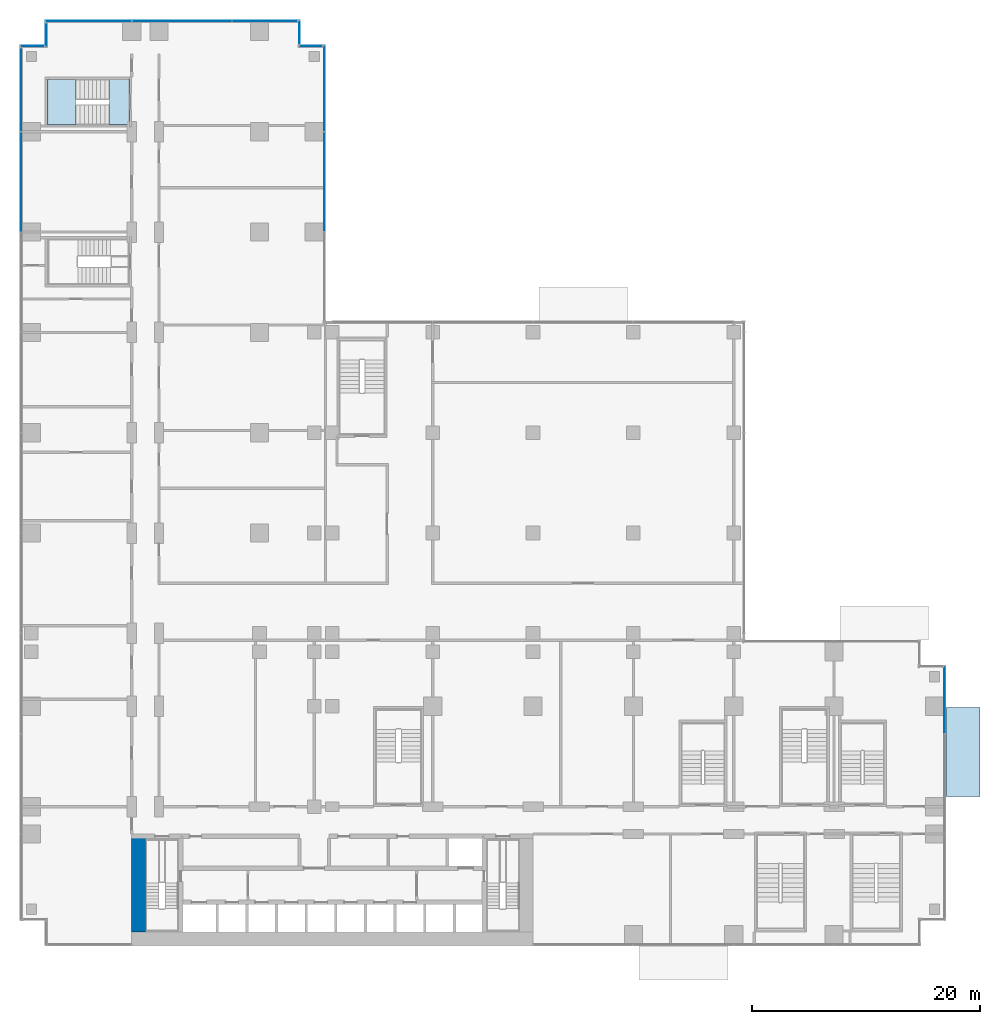
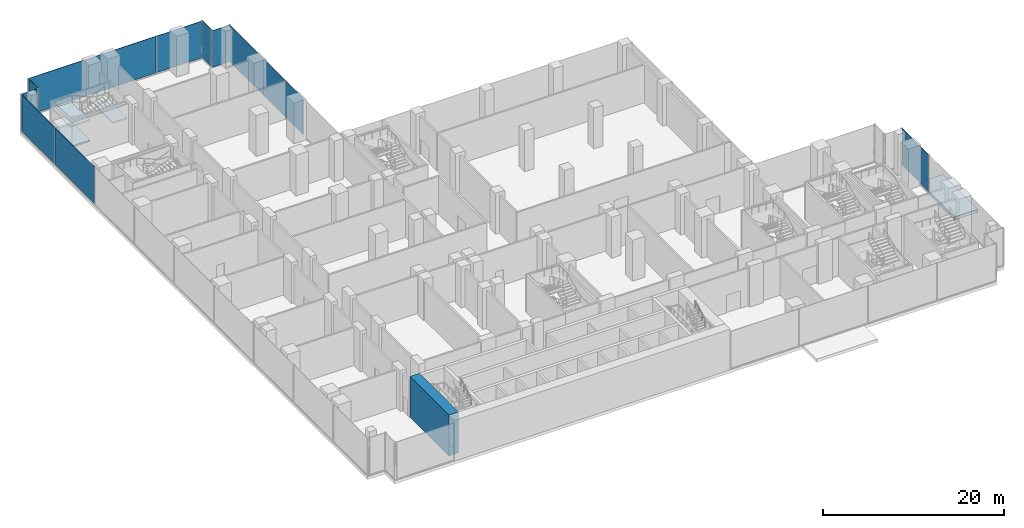
# One storey, part 17 of 30: 12 plates, 4 slabs, 1 wall, 9 elements without a shape of their own.
"""IFC4 building model written with IfcOpenShell, lengths in metres."""

from ifc_helpers import new_model, si_unit, direction, frame, frame_2d, origin, origin_2d, place, context, subcontext, project, spatial, polyline, rectangle, outline, extrude, source, transform, mapped, material, layer, layer_set, type_object, element, aggregate, save


model = new_model("IFC4")

# Units and contexts
model_context = context("Model", 3, precision=1e-05, world=origin(), true_north=direction((0.0, 1.0)))
body_context = subcontext(model_context, "Body", "Model", "MODEL_VIEW")
ifc_project = project(units=[si_unit("LENGTHUNIT", "METRE"), si_unit("AREAUNIT", "SQUARE_METRE"), si_unit("VOLUMEUNIT", "CUBIC_METRE"), si_unit("PLANEANGLEUNIT", "RADIAN"), si_unit("MASSUNIT", "GRAM", prefix="KILO")], contexts=[model_context])

# Site, building, storey
site_placement = place(None, origin())
site = spatial("IfcSite", under=ifc_project, at=site_placement, CompositionType="ELEMENT")
building_placement = place(site_placement, origin())
building = spatial("IfcBuilding", under=site, at=building_placement, Name="Kemantara Hotel Tower", CompositionType="ELEMENT")
storey_placement = place(building_placement, frame((0.0, 0.0, 7.5)))
storey = spatial("IfcBuildingStorey", under=building, at=storey_placement, Name="L01", CompositionType="ELEMENT", Elevation=7.5)

# Slab
ifc_material_1 = material(Name="Concrete K-500 (fc 42 MPa)", Category="concrete")
ifc_layer_1 = layer(ifc_material_1, 0.39990234375)
ifc_layer_set_1 = layer_set([ifc_layer_1], Name="Concrete K-500 (fc 42 MPa)")
slab_type_1 = type_object("IfcSlabType", Name="ENTRANCE CANOPY SLAB 400", PredefinedType="ROOF", material=ifc_layer_set_1)
slab_1_placement = place(storey_placement, frame((0.0, 0.0, -0.39990234375)))
element("IfcSlab", 1, at=slab_1_placement, inside=storey, type_object=slab_type_1, Name="ENTRANCE CANOPY STATION-E", PredefinedType="ROOF", context=body_context, shape_type="SweptSolid", body=[
    extrude(outline(polyline([(81.199951171875, 13.10009765625), (81.199951171875, 20.89990234375), (84.199951171875, 20.89990234375), (84.199951171875, 13.10009765625), (81.199951171875, 13.10009765625)])), origin(), (0.0, 0.0, 1.0), 0.39990234375),
])

# Stair, slabs
ifc_material_2 = material(Name="Concrete fc 40 MPa", Category="concrete")
stair_type = type_object("IfcStairType", Name="Stair 1800 wide 36 risers of 153 x 360 mm", PredefinedType="HALF_TURN_STAIR", material=ifc_material_2)
stair_placement = place(storey_placement, origin())
stair = element("IfcStair", 2, at=stair_placement, inside=storey, type_object=stair_type, Name="L01 Exit stair ST6", PredefinedType="HALF_TURN_STAIR")
ifc_layer_2 = layer(ifc_material_2, 0.199951171875)
ifc_layer_set_2 = layer_set([ifc_layer_2], Name="Concrete fc 40 MPa")
slab_type_2 = type_object("IfcSlabType", Name="Stair landing 200 mm", PredefinedType="LANDING", material=ifc_layer_set_2)
slab_2_placement = place(storey_placement, frame((0.0, 0.0, 1.175048828125)))
slab_2 = element("IfcSlab", 3, at=slab_2_placement, type_object=slab_type_2, Name="ST6 landing 1", PredefinedType="LANDING", context=body_context, shape_type="SweptSolid", body=[
    extrude(outline(polyline([(4.919921875, 76.0), (2.39990234375, 76.0), (2.39990234375, 72.0), (4.919921875, 72.0), (4.919921875, 76.0)])), origin(), (0.0, 0.0, 1.0), 0.199951171875),
])
slab_3_placement = place(storey_placement, frame((0.0, 0.0, 2.550048828125)))
slab_3 = element("IfcSlab", 4, at=slab_3_placement, type_object=slab_type_2, Name="ST6 landing 2", PredefinedType="LANDING", context=body_context, shape_type="SweptSolid", body=[
    extrude(outline(polyline([(9.60009765625, 76.0), (7.800048828125, 76.0), (7.800048828125, 72.0), (9.60009765625, 72.0), (9.60009765625, 76.0)])), origin(), (0.0, 0.0, 1.0), 0.199951171875),
])
slab_4_placement = place(storey_placement, frame((0.0, 0.0, 3.925048828125)))
slab_4 = element("IfcSlab", 5, at=slab_4_placement, type_object=slab_type_2, Name="ST6 landing 3", PredefinedType="LANDING", context=body_context, shape_type="SweptSolid", body=[
    extrude(outline(polyline([(4.919921875, 76.0), (2.39990234375, 76.0), (2.39990234375, 72.0), (4.919921875, 72.0), (4.919921875, 76.0)])), origin(), (0.0, 0.0, 1.0), 0.199951171875),
])
aggregate(stair, [slab_2, slab_3, slab_4])

# Curtain wall, plate
ifc_material_3 = material(Name="Laminated tinted insulated glass 44 mm", Category="glass")
curtain_wall_type = type_object("IfcCurtainWallType", Name="PODIUM GLASS CURTAIN WALL", PredefinedType="USERDEFINED", material=ifc_material_3)
curtain_wall_1_placement = place(storey_placement, origin())
curtain_wall_1 = element("IfcCurtainWall", 6, at=curtain_wall_1_placement, inside=storey, type_object=curtain_wall_type, Name="CW1 L01 POD-R10-1", ObjectType="PODIUM GLASS CURTAIN WALL", PredefinedType="USERDEFINED")
ifc_layer_3 = layer(ifc_material_3, 0.0439453125)
ifc_layer_set_3 = layer_set([ifc_layer_3], Name="Laminated tinted insulated glass 44 mm")
plate_type = type_object("IfcPlateType", Name="PODIUM GLASS CURTAIN WALL PANEL", PredefinedType="CURTAIN_PANEL", material=ifc_layer_set_3)
shared_shape_1 = source(origin(), body_context, "Body", "SweptSolid", [
    extrude(rectangle(XDim=8.72509765625, YDim=0.0439453125, at=origin_2d()), origin(), (0.0, 0.0, 1.0), 4.949951171875),
])
plate_1_placement = place(storey_placement, frame((26.699951171875, 67.0, 0.14990234375), z_axis=(0.0, 0.0, 1.0), x_axis=(0.0, 1.0, 0.0)))
plate_1 = element("IfcPlate", 7, at=plate_1_placement, type_object=plate_type, Name="CW1 glass panel POD-R10-1.2", PredefinedType="CURTAIN_PANEL", context=body_context, shape_type="MappedRepresentation", body=[
    mapped(shared_shape_1, transform((0.0, 0.0, 0.0))),
])

curtain_wall_2_placement = place(storey_placement, origin())
curtain_wall_2 = element("IfcCurtainWall", 8, at=curtain_wall_2_placement, inside=storey, type_object=curtain_wall_type, Name="CW1 L01 POD-R13-1", ObjectType="PODIUM GLASS CURTAIN WALL", PredefinedType="USERDEFINED")
plate_2_placement = place(storey_placement, frame((14.199951171875, 81.10009765625, 0.14990234375), z_axis=(0.0, 0.0, 1.0), x_axis=(-1.0, 0.0, 0.0)))
plate_2 = element("IfcPlate", 9, at=plate_2_placement, type_object=plate_type, Name="CW1 glass panel POD-R13-1.2", PredefinedType="CURTAIN_PANEL", context=body_context, shape_type="MappedRepresentation", body=[
    mapped(shared_shape_1, transform((0.0, 0.0, 0.0))),
])

curtain_wall_3_placement = place(storey_placement, origin())
curtain_wall_3 = element("IfcCurtainWall", 10, at=curtain_wall_3_placement, inside=storey, type_object=curtain_wall_type, Name="CW1 L01 POD-R16-1", ObjectType="PODIUM GLASS CURTAIN WALL", PredefinedType="USERDEFINED")
plate_3_placement = place(storey_placement, frame((0.10009765625, 67.0, 0.14990234375), z_axis=(0.0, 0.0, 1.0), x_axis=(0.0, -1.0, 0.0)))
plate_3 = element("IfcPlate", 11, at=plate_3_placement, type_object=plate_type, Name="CW1 glass panel POD-R16-1.2", PredefinedType="CURTAIN_PANEL", context=body_context, shape_type="MappedRepresentation", body=[
    mapped(shared_shape_1, transform((0.0, 0.0, 0.0))),
])

# Plate
shared_shape_2 = source(origin(), body_context, "Body", "SweptSolid", [
    extrude(rectangle(XDim=7.487548828125, YDim=0.0439453125, at=origin_2d()), origin(), (0.0, 0.0, 1.0), 4.949951171875),
])
plate_4_placement = place(storey_placement, frame((26.699951171875, 75.18115234375, 0.14990234375), z_axis=(0.0, 0.0, 1.0), x_axis=(0.0, 1.0, 0.0)))
plate_4 = element("IfcPlate", 12, at=plate_4_placement, type_object=plate_type, Name="CW1 glass panel POD-R10-1.3", PredefinedType="CURTAIN_PANEL", context=body_context, shape_type="MappedRepresentation", body=[
    mapped(shared_shape_2, transform((0.0, 0.0, 0.0))),
])

aggregate(curtain_wall_1, [plate_1, plate_4])

plate_5_placement = place(storey_placement, frame((6.018798828125, 81.10009765625, 0.14990234375), z_axis=(0.0, 0.0, 1.0), x_axis=(-1.0, 0.0, 0.0)))
plate_5 = element("IfcPlate", 13, at=plate_5_placement, type_object=plate_type, Name="CW1 glass panel POD-R13-1.3", PredefinedType="CURTAIN_PANEL", context=body_context, shape_type="MappedRepresentation", body=[
    mapped(shared_shape_2, transform((0.0, 0.0, 0.0))),
])

shared_shape_3 = source(origin(), body_context, "Body", "SweptSolid", [
    extrude(rectangle(XDim=7.28759765625, YDim=0.0439453125, at=origin_2d()), origin(), (0.0, 0.0, 1.0), 4.949951171875),
])
plate_6_placement = place(storey_placement, frame((0.10009765625, 75.081298828125, 0.14990234375), z_axis=(0.0, 0.0, 1.0), x_axis=(0.0, -1.0, 0.0)))
plate_6 = element("IfcPlate", 14, at=plate_6_placement, type_object=plate_type, Name="CW1 glass panel POD-R16-1.1", PredefinedType="CURTAIN_PANEL", context=body_context, shape_type="MappedRepresentation", body=[
    mapped(shared_shape_3, transform((0.0, 0.0, 0.0))),
])

aggregate(curtain_wall_3, [plate_6, plate_3])

# Curtain wall, plate
curtain_wall_4_placement = place(storey_placement, origin())
curtain_wall_4 = element("IfcCurtainWall", 15, at=curtain_wall_4_placement, inside=storey, type_object=curtain_wall_type, Name="CW1 L01 POD-R04-1", ObjectType="PODIUM GLASS CURTAIN WALL", PredefinedType="USERDEFINED")
shared_shape_4 = source(origin(), body_context, "Body", "SweptSolid", [
    extrude(rectangle(XDim=5.887451171875, YDim=0.0439453125, at=origin_2d()), origin(), (0.0, 0.0, 1.0), 4.949951171875),
])
plate_7_placement = place(storey_placement, frame((81.10009765625, 21.581298828125, 0.14990234375), z_axis=(0.0, 0.0, 1.0), x_axis=(0.0, 1.0, 0.0)))
plate_7 = element("IfcPlate", 16, at=plate_7_placement, type_object=plate_type, Name="CW1 glass panel POD-R04-1.3", PredefinedType="CURTAIN_PANEL", context=body_context, shape_type="MappedRepresentation", body=[
    mapped(shared_shape_4, transform((0.0, 0.0, 0.0))),
])
aggregate(curtain_wall_4, [plate_7])

# Plate
shared_shape_5 = source(origin(), body_context, "Body", "SweptSolid", [
    extrude(rectangle(XDim=5.6875, YDim=0.0439453125, at=origin_2d()), origin(), (0.0, 0.0, 1.0), 4.949951171875),
])
plate_8_placement = place(storey_placement, frame((21.481201171875, 81.10009765625, 0.14990234375), z_axis=(0.0, 0.0, 1.0), x_axis=(-1.0, 0.0, 0.0)))
plate_8 = element("IfcPlate", 17, at=plate_8_placement, type_object=plate_type, Name="CW1 glass panel POD-R13-1.1", PredefinedType="CURTAIN_PANEL", context=body_context, shape_type="MappedRepresentation", body=[
    mapped(shared_shape_5, transform((0.0, 0.0, 0.0))),
])

aggregate(curtain_wall_2, [plate_8, plate_2, plate_5])

# Curtain wall, plate
curtain_wall_5_placement = place(storey_placement, origin())
curtain_wall_5 = element("IfcCurtainWall", 18, at=curtain_wall_5_placement, inside=storey, type_object=curtain_wall_type, Name="CW1 L01 POD-R11-1", ObjectType="PODIUM GLASS CURTAIN WALL", PredefinedType="USERDEFINED")
shared_shape_6 = source(origin(), body_context, "Body", "SweptSolid", [
    extrude(rectangle(XDim=2.050048828125, YDim=0.0439453125, at=origin_2d()), origin(), (0.0, 0.0, 1.0), 4.949951171875),
])
plate_9_placement = place(storey_placement, frame((25.5, 78.89990234375, 0.14990234375), z_axis=(0.0, 0.0, 1.0), x_axis=(-1.0, 0.0, 0.0)))
plate_9 = element("IfcPlate", 19, at=plate_9_placement, type_object=plate_type, Name="CW1 glass panel POD-R11-1.1", PredefinedType="CURTAIN_PANEL", context=body_context, shape_type="MappedRepresentation", body=[
    mapped(shared_shape_6, transform((0.0, 0.0, 0.0))),
])
aggregate(curtain_wall_5, [plate_9])

curtain_wall_6_placement = place(storey_placement, origin())
curtain_wall_6 = element("IfcCurtainWall", 20, at=curtain_wall_6_placement, inside=storey, type_object=curtain_wall_type, Name="CW1 L01 POD-R12-1", ObjectType="PODIUM GLASS CURTAIN WALL", PredefinedType="USERDEFINED")
plate_10_placement = place(storey_placement, frame((24.5, 80.10009765625, 0.14990234375), z_axis=(0.0, 0.0, 1.0), x_axis=(0.0, 1.0, 0.0)))
plate_10 = element("IfcPlate", 21, at=plate_10_placement, type_object=plate_type, Name="CW1 glass panel POD-R12-1.1", PredefinedType="CURTAIN_PANEL", context=body_context, shape_type="MappedRepresentation", body=[
    mapped(shared_shape_6, transform((0.0, 0.0, 0.0))),
])
aggregate(curtain_wall_6, [plate_10])

curtain_wall_7_placement = place(storey_placement, origin())
curtain_wall_7 = element("IfcCurtainWall", 22, at=curtain_wall_7_placement, inside=storey, type_object=curtain_wall_type, Name="CW1 L01 POD-R14-1", ObjectType="PODIUM GLASS CURTAIN WALL", PredefinedType="USERDEFINED")
plate_11_placement = place(storey_placement, frame((2.300048828125, 79.89990234375, 0.14990234375), z_axis=(0.0, 0.0, 1.0), x_axis=(0.0, -1.0, 0.0)))
plate_11 = element("IfcPlate", 23, at=plate_11_placement, type_object=plate_type, Name="CW1 glass panel POD-R14-1.1", PredefinedType="CURTAIN_PANEL", context=body_context, shape_type="MappedRepresentation", body=[
    mapped(shared_shape_6, transform((0.0, 0.0, 0.0))),
])
aggregate(curtain_wall_7, [plate_11])

curtain_wall_8_placement = place(storey_placement, origin())
curtain_wall_8 = element("IfcCurtainWall", 24, at=curtain_wall_8_placement, inside=storey, type_object=curtain_wall_type, Name="CW1 L01 POD-R15-1", ObjectType="PODIUM GLASS CURTAIN WALL", PredefinedType="USERDEFINED")
plate_12_placement = place(storey_placement, frame((1.10009765625, 78.89990234375, 0.14990234375), z_axis=(0.0, 0.0, 1.0), x_axis=(-1.0, 0.0, 0.0)))
plate_12 = element("IfcPlate", 25, at=plate_12_placement, type_object=plate_type, Name="CW1 glass panel POD-R15-1.1", PredefinedType="CURTAIN_PANEL", context=body_context, shape_type="MappedRepresentation", body=[
    mapped(shared_shape_6, transform((0.0, 0.0, 0.0))),
])
aggregate(curtain_wall_8, [plate_12])

# Wall
ifc_material_4 = material(Name="Concrete fc 70 MPa", Category="concrete")
ifc_layer_4 = layer(ifc_material_4, 1.199951171875)
ifc_layer_set_4 = layer_set([ifc_layer_4], Name="Concrete fc 70 MPa")
wall_type = type_object("IfcWallType", Name="CORE WALL 1200 FC70", PredefinedType="SHEAR", material=ifc_layer_set_4)
wall_placement = place(storey_placement, frame((10.39990234375, 1.199951171875, 0.0), z_axis=(0.0, 0.0, 1.0), x_axis=(0.0, 1.0, 0.0)))
element("IfcWall", 26, at=wall_placement, inside=storey, type_object=wall_type, Name="CORE WALL CW-W", PredefinedType="SHEAR", context=body_context, shape_type="SweptSolid", body=[
    extrude(rectangle(XDim=8.60009765625, YDim=1.199951171875, at=frame_2d((4.300048828125, 0.0))), origin(), (0.0, 0.0, 1.0), 5.5),
])

save(model, "model.ifc")
